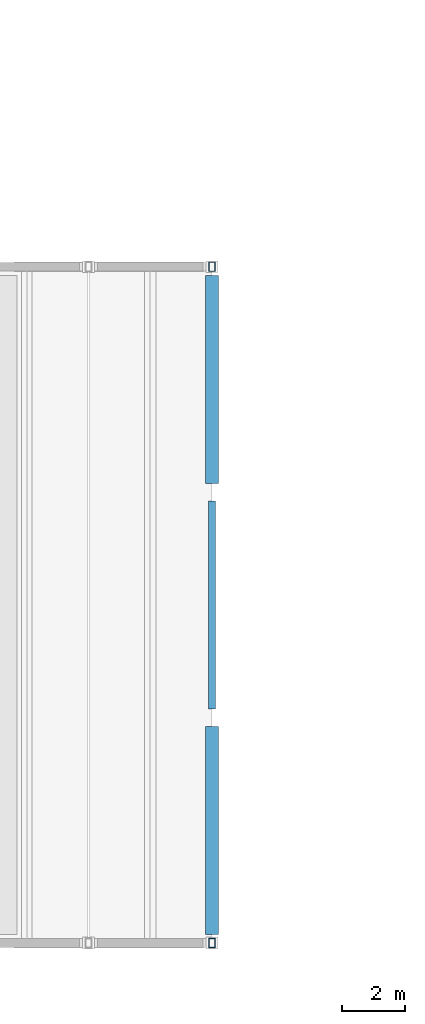
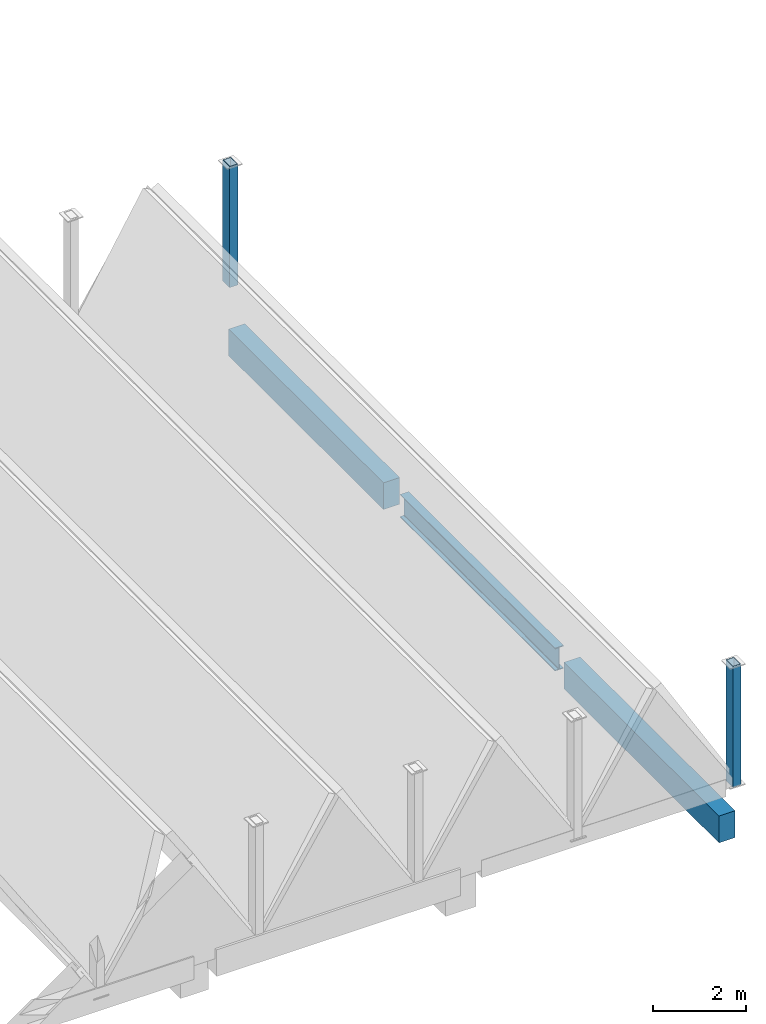
# One storey, part 80 of 124: 3 beams, 2 members.
"""IFC4 building model written with IfcOpenShell, lengths in metres."""

from ifc_helpers import new_model, si_unit, direction, frame, origin, origin_2d, place, context, subcontext, project, spatial, rectangle, hollow_rectangle, i_section, extrude, material, material_profile, profile_set, type_object, element, save


model = new_model("IFC4")

# Units and contexts
model_context = context("Model", 3, precision=1e-05, world=origin(), true_north=direction((0.0, 1.0)))
body_context = subcontext(model_context, "Body", "Model", "MODEL_VIEW")
ifc_project = project(units=[si_unit("LENGTHUNIT", "METRE"), si_unit("AREAUNIT", "SQUARE_METRE"), si_unit("VOLUMEUNIT", "CUBIC_METRE"), si_unit("PLANEANGLEUNIT", "RADIAN"), si_unit("MASSUNIT", "GRAM", prefix="KILO")], contexts=[model_context])

# Site, building, storey
site_placement = place(None, origin())
site = spatial("IfcSite", under=ifc_project, at=site_placement, CompositionType="ELEMENT")
building_placement = place(site_placement, origin())
building = spatial("IfcBuilding", under=site, at=building_placement, Name="Kalluvel Institute of Natural Sciences", CompositionType="ELEMENT")
storey_placement = place(building_placement, frame((0.0, 0.0, 9.89990234375)))
storey = spatial("IfcBuildingStorey", under=building, at=storey_placement, Name="L02", CompositionType="ELEMENT", Elevation=9.89990234375)

# Beams
ifc_material_1 = material(Name="Steel E350 Grade 350", Category="steel")
ifc_material_profile_1 = material_profile(ifc_material_1, i_section(OverallWidth=0.2099609375, OverallDepth=0.60009765625, WebThickness=0.011962890625, FlangeThickness=0.020751953125, FilletRadius=0.02001953125, at=origin_2d()), Name="ISMB 600")
ifc_profile_set_1 = profile_set([ifc_material_profile_1], Name="Steel E350 Grade 350")
beam_type_1 = type_object("IfcBeamType", Name="BM-ISMB600", PredefinedType="BEAM", material=ifc_profile_set_1)
beam_1_placement = place(storey_placement, frame((142.39990234375, 21.47509765625, -0.619873046875), z_axis=(0.0, 1.0, 0.0), x_axis=(-1.0, 0.0, 0.0)))
element("IfcBeam", 1, at=beam_1_placement, inside=storey, type_object=beam_type_1, Name="L02 girder GIR-L02-NS-X1424-Y212", PredefinedType="BEAM", context=body_context, shape_type="SweptSolid", body=[
    extrude(i_section(OverallWidth=0.2099609375, OverallDepth=0.60009765625, WebThickness=0.011962890625, FlangeThickness=0.020751953125, FilletRadius=0.02001953125, at=origin_2d()), origin(), (0.0, 0.0, 1.0), 6.64990234375),
])
ifc_material_2 = material(Name="Concrete M40", Category="concrete")
ifc_material_profile_2 = material_profile(ifc_material_2, rectangle(XDim=0.39990234375, YDim=0.699951171875, at=origin_2d()), Name="RCB 400x700")
ifc_profile_set_2 = profile_set([ifc_material_profile_2], Name="Concrete M40")
beam_type_2 = type_object("IfcBeamType", Name="BM-RC400x700", PredefinedType="BEAM", material=ifc_profile_set_2)
beam_2_placement = place(storey_placement, frame((142.39990234375, 14.27490234375, -0.669921875), z_axis=(0.0, 1.0, 0.0), x_axis=(-1.0, 0.0, 0.0)))
element("IfcBeam", 2, at=beam_2_placement, inside=storey, type_object=beam_type_2, Name="L02 girder GIR-L02-NS-X1424-Y140", PredefinedType="BEAM", context=body_context, shape_type="SweptSolid", body=[
    extrude(rectangle(XDim=0.39990234375, YDim=0.699951171875, at=origin_2d()), origin(), (0.0, 0.0, 1.0), 6.650146484375),
])
beam_3_placement = place(storey_placement, frame((142.39990234375, 28.675048828125, -0.669921875), z_axis=(0.0, 1.0, 0.0), x_axis=(-1.0, 0.0, 0.0)))
element("IfcBeam", 3, at=beam_3_placement, inside=storey, type_object=beam_type_2, Name="L02 girder GIR-L02-NS-X1424-Y284", PredefinedType="BEAM", context=body_context, shape_type="SweptSolid", body=[
    extrude(rectangle(XDim=0.39990234375, YDim=0.699951171875, at=origin_2d()), origin(), (0.0, 0.0, 1.0), 6.64990234375),
])

# Members
ifc_material_profile_3 = material_profile(ifc_material_1, hollow_rectangle(XDim=0.199951171875, YDim=0.300048828125, WallThickness=0.011962890625, at=origin_2d()), Name="RHS 300x200x12")
ifc_profile_set_3 = profile_set([ifc_material_profile_3], Name="Steel E350 Grade 350")
member_type = type_object("IfcMemberType", Name="MB-ARCH-RHS300", PredefinedType="CHORD", material=ifc_profile_set_3)
for number, where, z_axis, x_axis, name in (
    (4, (142.39990234375, 14.0, 0.650146484375), (0.0, 0.0, 1.0), (1.0, 0.0, 0.0), "Lecture theatre folded-plate valley mullion post 7"),
    (5, (142.39990234375, 35.60009765625, 0.650146484375), (0.0, 0.0, 1.0), (1.0, 0.0, 0.0), "Lecture theatre folded-plate valley mullion post 14"),
):
    element("IfcMember", number, at=place(storey_placement, frame(where, z_axis=z_axis, x_axis=x_axis)), inside=storey, type_object=member_type, Name=name, PredefinedType="CHORD", context=body_context, shape_type="SweptSolid", body=[
        extrude(hollow_rectangle(XDim=0.199951171875, YDim=0.300048828125, WallThickness=0.011962890625, at=origin_2d()), origin(), (0.0, 0.0, 1.0), 3.169921875),
    ])

save(model, "model.ifc")
